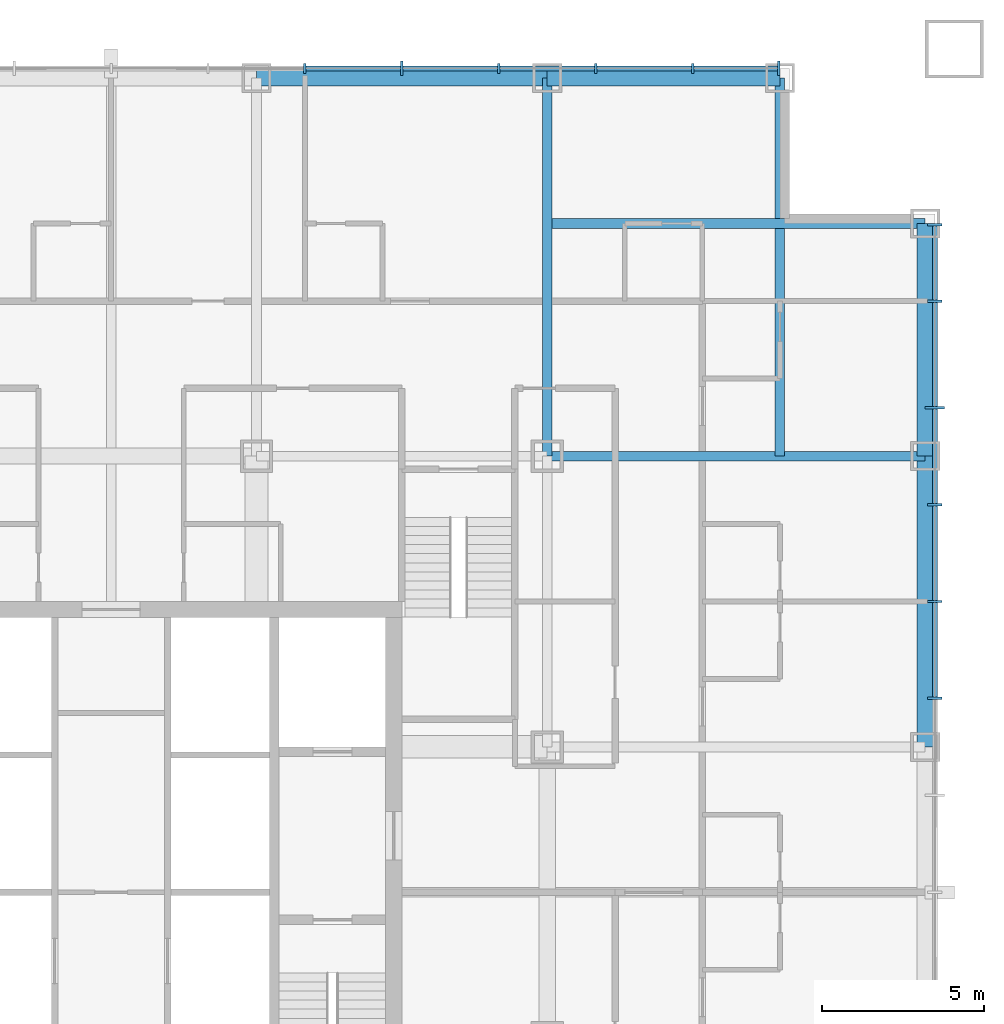
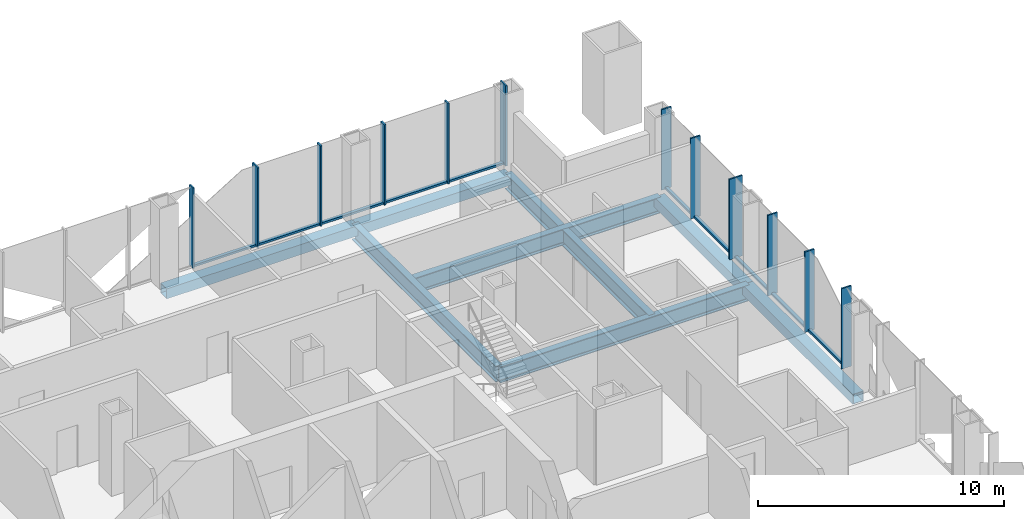
# One storey, part 5 of 13: 22 members, 8 beams, 2 elements without a shape of their own.
"""IFC4 building model written with IfcOpenShell, lengths in metres."""

from ifc_helpers import new_model, si_unit, direction, frame, origin, origin_2d, place, context, subcontext, project, spatial, rectangle, hollow_rectangle, i_section, extrude, material, layer, layer_set, material_profile, profile_set, type_object, element, aggregate, save


model = new_model("IFC4")

# Units and contexts
model_context = context("Model", 3, precision=1e-05, world=origin(), true_north=direction((0.0, 1.0)))
body_context = subcontext(model_context, "Body", "Model", "MODEL_VIEW")
ifc_project = project(units=[si_unit("LENGTHUNIT", "METRE"), si_unit("AREAUNIT", "SQUARE_METRE"), si_unit("VOLUMEUNIT", "CUBIC_METRE"), si_unit("PLANEANGLEUNIT", "RADIAN"), si_unit("MASSUNIT", "GRAM", prefix="KILO")], contexts=[model_context])

# Site, building, storey
site_placement = place(None, origin())
site = spatial("IfcSite", under=ifc_project, at=site_placement, CompositionType="ELEMENT")
building_placement = place(site_placement, origin())
building = spatial("IfcBuilding", under=site, at=building_placement, Name="Malebo Sky Hospital", CompositionType="ELEMENT")
storey_placement = place(building_placement, frame((0.0, 0.0, 47.0)))
storey = spatial("IfcBuildingStorey", under=building, at=storey_placement, Name="L10", CompositionType="ELEMENT", Elevation=47.0)

# Curtain wall, members
ifc_material_1 = material(Name="Anodised aluminium, natural silver", Category="aluminium")
ifc_layer_1 = layer(ifc_material_1, 0.25)
ifc_layer_set_1 = layer_set([ifc_layer_1], Name="WARD CURTAIN WALL NORTH AND SOUTH")
curtain_wall_type_1 = type_object("IfcCurtainWallType", Name="WARD CURTAIN WALL NORTH AND SOUTH", PredefinedType="NOTDEFINED", material=ifc_layer_set_1)
curtain_wall_1_placement = place(storey_placement, origin())
curtain_wall_1 = element("IfcCurtainWall", 1, at=curtain_wall_1_placement, inside=storey, type_object=curtain_wall_type_1, Name="NS curtain wall N", PredefinedType="NOTDEFINED")
ifc_material_profile_1 = material_profile(ifc_material_1, rectangle(XDim=0.14990234375, YDim=0.10009765625, at=origin_2d()), Name="ALUMINIUM TRANSOM 150x100")
ifc_profile_set_1 = profile_set([ifc_material_profile_1], Name="Anodised aluminium, natural silver")
member_type_1 = type_object("IfcMemberType", Name="ALUMINIUM TRANSOM 150x100", PredefinedType="USERDEFINED", material=ifc_profile_set_1)
member_1_placement = place(storey_placement, frame((66.03759765625, 87.5, 0.050048828125), z_axis=(1.0, 0.0, 0.0), x_axis=(0.0, 1.0, 0.0)))
member_1 = element("IfcMember", 2, at=member_1_placement, type_object=member_type_1, Name="Transom 10", ObjectType="TRANSOM", PredefinedType="USERDEFINED", context=body_context, shape_type="SweptSolid", body=[
    extrude(rectangle(XDim=0.14990234375, YDim=0.10009765625, at=origin_2d()), origin(), (0.0, 0.0, 1.0), 2.9248046875),
])
member_2_placement = place(storey_placement, frame((69.03759765625, 87.5, 0.050048828125), z_axis=(1.0, 0.0, 0.0), x_axis=(0.0, 1.0, 0.0)))
member_2 = element("IfcMember", 3, at=member_2_placement, type_object=member_type_1, Name="Transom 11", ObjectType="TRANSOM", PredefinedType="USERDEFINED", context=body_context, shape_type="SweptSolid", body=[
    extrude(rectangle(XDim=0.14990234375, YDim=0.10009765625, at=origin_2d()), origin(), (0.0, 0.0, 1.0), 2.9248046875),
])
member_3_placement = place(storey_placement, frame((72.03759765625, 87.5, 0.050048828125), z_axis=(1.0, 0.0, 0.0), x_axis=(0.0, 1.0, 0.0)))
member_3 = element("IfcMember", 4, at=member_3_placement, type_object=member_type_1, Name="Transom 12", ObjectType="TRANSOM", PredefinedType="USERDEFINED", context=body_context, shape_type="SweptSolid", body=[
    extrude(rectangle(XDim=0.14990234375, YDim=0.10009765625, at=origin_2d()), origin(), (0.0, 0.0, 1.0), 2.9248046875),
])
member_4_placement = place(storey_placement, frame((75.03759765625, 87.5, 0.050048828125), z_axis=(1.0, 0.0, 0.0), x_axis=(0.0, 1.0, 0.0)))
member_4 = element("IfcMember", 5, at=member_4_placement, type_object=member_type_1, Name="Transom 13", ObjectType="TRANSOM", PredefinedType="USERDEFINED", context=body_context, shape_type="SweptSolid", body=[
    extrude(rectangle(XDim=0.14990234375, YDim=0.10009765625, at=origin_2d()), origin(), (0.0, 0.0, 1.0), 2.9248046875),
])
member_5_placement = place(storey_placement, frame((78.03759765625, 87.5, 0.050048828125), z_axis=(1.0, 0.0, 0.0), x_axis=(0.0, 1.0, 0.0)))
member_5 = element("IfcMember", 6, at=member_5_placement, type_object=member_type_1, Name="Transom 14", ObjectType="TRANSOM", PredefinedType="USERDEFINED", context=body_context, shape_type="SweptSolid", body=[
    extrude(rectangle(XDim=0.14990234375, YDim=0.10009765625, at=origin_2d()), origin(), (0.0, 0.0, 1.0), 2.58740234375),
])

ifc_layer_2 = layer(ifc_material_1, 0.25)
ifc_layer_set_2 = layer_set([ifc_layer_2], Name="WARD CURTAIN WALL EAST AND WEST")
curtain_wall_type_2 = type_object("IfcCurtainWallType", Name="WARD CURTAIN WALL EAST AND WEST", PredefinedType="NOTDEFINED", material=ifc_layer_set_2)
curtain_wall_2_placement = place(storey_placement, origin())
curtain_wall_2 = element("IfcCurtainWall", 7, at=curtain_wall_2_placement, inside=storey, type_object=curtain_wall_type_2, Name="EW curtain wall E", PredefinedType="NOTDEFINED")
member_6_placement = place(storey_placement, frame((85.5, 82.625, 0.050048828125), z_axis=(0.0, -1.0, 0.0), x_axis=(1.0, 0.0, 0.0)))
member_6 = element("IfcMember", 8, at=member_6_placement, type_object=member_type_1, Name="Transom 1", ObjectType="TRANSOM", PredefinedType="USERDEFINED", context=body_context, shape_type="SweptSolid", body=[
    extrude(rectangle(XDim=0.14990234375, YDim=0.10009765625, at=origin_2d()), origin(), (0.0, 0.0, 1.0), 2.28759765625),
])
member_7_placement = place(storey_placement, frame((85.5, 80.262451171875, 0.050048828125), z_axis=(0.0, -1.0, 0.0), x_axis=(1.0, 0.0, 0.0)))
member_7 = element("IfcMember", 9, at=member_7_placement, type_object=member_type_1, Name="Transom 2", ObjectType="TRANSOM", PredefinedType="USERDEFINED", context=body_context, shape_type="SweptSolid", body=[
    extrude(rectangle(XDim=0.14990234375, YDim=0.10009765625, at=origin_2d()), origin(), (0.0, 0.0, 1.0), 3.224853515625),
])
member_8_placement = place(storey_placement, frame((85.5, 76.96240234375, 0.050048828125), z_axis=(0.0, -1.0, 0.0), x_axis=(1.0, 0.0, 0.0)))
member_8 = element("IfcMember", 10, at=member_8_placement, type_object=member_type_1, Name="Transom 3", ObjectType="TRANSOM", PredefinedType="USERDEFINED", context=body_context, shape_type="SweptSolid", body=[
    extrude(rectangle(XDim=0.14990234375, YDim=0.10009765625, at=origin_2d()), origin(), (0.0, 0.0, 1.0), 2.9248046875),
])
member_9_placement = place(storey_placement, frame((85.5, 73.96240234375, 0.050048828125), z_axis=(0.0, -1.0, 0.0), x_axis=(1.0, 0.0, 0.0)))
member_9 = element("IfcMember", 11, at=member_9_placement, type_object=member_type_1, Name="Transom 4", ObjectType="TRANSOM", PredefinedType="USERDEFINED", context=body_context, shape_type="SweptSolid", body=[
    extrude(rectangle(XDim=0.14990234375, YDim=0.10009765625, at=origin_2d()), origin(), (0.0, 0.0, 1.0), 2.9248046875),
])
member_10_placement = place(storey_placement, frame((85.5, 70.96240234375, 0.050048828125), z_axis=(0.0, -1.0, 0.0), x_axis=(1.0, 0.0, 0.0)))
member_10 = element("IfcMember", 12, at=member_10_placement, type_object=member_type_1, Name="Transom 5", ObjectType="TRANSOM", PredefinedType="USERDEFINED", context=body_context, shape_type="SweptSolid", body=[
    extrude(rectangle(XDim=0.14990234375, YDim=0.10009765625, at=origin_2d()), origin(), (0.0, 0.0, 1.0), 2.9248046875),
])

# Member
ifc_material_profile_2 = material_profile(ifc_material_1, rectangle(XDim=0.074951171875, YDim=0.300048828125, at=origin_2d()), Name="CW1 ALUMINIUM FIN MULLION 75x300")
ifc_profile_set_2 = profile_set([ifc_material_profile_2], Name="Anodised aluminium, natural silver")
member_type_2 = type_object("IfcMemberType", Name="CW1 ALUMINIUM FIN MULLION 75x300", PredefinedType="MULLION", material=ifc_profile_set_2)
member_11_placement = place(storey_placement, frame((66.0, 87.5, 0.0), z_axis=(0.0, 0.0, 1.0), x_axis=(1.0, 0.0, 0.0)))
member_11 = element("IfcMember", 13, at=member_11_placement, type_object=member_type_2, Name="Fin mullion 10", PredefinedType="MULLION", context=body_context, shape_type="SweptSolid", body=[
    extrude(rectangle(XDim=0.074951171875, YDim=0.300048828125, at=origin_2d()), origin(), (0.0, 0.0, 1.0), 4.0),
])

member_12_placement = place(storey_placement, frame((72.0, 87.5, 0.0), z_axis=(0.0, 0.0, 1.0), x_axis=(1.0, 0.0, 0.0)))
member_12 = element("IfcMember", 14, at=member_12_placement, type_object=member_type_2, Name="Fin mullion 12", PredefinedType="MULLION", context=body_context, shape_type="SweptSolid", body=[
    extrude(rectangle(XDim=0.074951171875, YDim=0.300048828125, at=origin_2d()), origin(), (0.0, 0.0, 1.0), 4.0),
])

member_13_placement = place(storey_placement, frame((75.0, 87.5, 0.0), z_axis=(0.0, 0.0, 1.0), x_axis=(1.0, 0.0, 0.0)))
member_13 = element("IfcMember", 15, at=member_13_placement, type_object=member_type_2, Name="Fin mullion 13", PredefinedType="MULLION", context=body_context, shape_type="SweptSolid", body=[
    extrude(rectangle(XDim=0.074951171875, YDim=0.300048828125, at=origin_2d()), origin(), (0.0, 0.0, 1.0), 4.0),
])

member_14_placement = place(storey_placement, frame((78.0, 87.5, 0.0), z_axis=(0.0, 0.0, 1.0), x_axis=(1.0, 0.0, 0.0)))
member_14 = element("IfcMember", 16, at=member_14_placement, type_object=member_type_2, Name="Fin mullion 14", PredefinedType="MULLION", context=body_context, shape_type="SweptSolid", body=[
    extrude(rectangle(XDim=0.074951171875, YDim=0.300048828125, at=origin_2d()), origin(), (0.0, 0.0, 1.0), 4.0),
])

ifc_material_profile_3 = material_profile(ifc_material_1, rectangle(XDim=0.074951171875, YDim=0.449951171875, at=origin_2d()), Name="CW1 ALUMINIUM FIN MULLION 75x450")
ifc_profile_set_3 = profile_set([ifc_material_profile_3], Name="Anodised aluminium, natural silver")
member_type_3 = type_object("IfcMemberType", Name="CW1 ALUMINIUM FIN MULLION 75x450", PredefinedType="MULLION", material=ifc_profile_set_3)
member_15_placement = place(storey_placement, frame((69.0, 87.5, 0.0), z_axis=(0.0, 0.0, 1.0), x_axis=(1.0, 0.0, 0.0)))
member_15 = element("IfcMember", 17, at=member_15_placement, type_object=member_type_3, Name="Fin mullion 11", PredefinedType="MULLION", context=body_context, shape_type="SweptSolid", body=[
    extrude(rectangle(XDim=0.074951171875, YDim=0.449951171875, at=origin_2d()), origin(), (0.0, 0.0, 1.0), 4.0),
])

member_16_placement = place(storey_placement, frame((80.66259765625, 87.5, 0.0), z_axis=(0.0, 0.0, 1.0), x_axis=(1.0, 0.0, 0.0)))
member_16 = element("IfcMember", 18, at=member_16_placement, type_object=member_type_3, Name="Fin mullion 15", PredefinedType="MULLION", context=body_context, shape_type="SweptSolid", body=[
    extrude(rectangle(XDim=0.074951171875, YDim=0.449951171875, at=origin_2d()), origin(), (0.0, 0.0, 1.0), 4.0),
])

aggregate(curtain_wall_1, [member_11, member_15, member_12, member_13, member_14, member_16, member_1, member_2, member_3, member_4, member_5])

ifc_material_profile_4 = material_profile(ifc_material_1, rectangle(XDim=0.074951171875, YDim=0.449951171875, at=origin_2d()), Name="CW2 ALUMINIUM FIN MULLION 75x450")
ifc_profile_set_4 = profile_set([ifc_material_profile_4], Name="Anodised aluminium, natural silver")
member_type_4 = type_object("IfcMemberType", Name="CW2 ALUMINIUM FIN MULLION 75x450", PredefinedType="MULLION", material=ifc_profile_set_4)
member_17_placement = place(storey_placement, frame((85.5, 82.66259765625, 0.0), z_axis=(0.0, 0.0, 1.0), x_axis=(0.0, -1.0, 0.0)))
member_17 = element("IfcMember", 19, at=member_17_placement, type_object=member_type_4, Name="Fin mullion 1", PredefinedType="MULLION", context=body_context, shape_type="SweptSolid", body=[
    extrude(rectangle(XDim=0.074951171875, YDim=0.449951171875, at=origin_2d()), origin(), (0.0, 0.0, 1.0), 4.0),
])

member_18_placement = place(storey_placement, frame((85.5, 80.300048828125, 0.0), z_axis=(0.0, 0.0, 1.0), x_axis=(0.0, -1.0, 0.0)))
member_18 = element("IfcMember", 20, at=member_18_placement, type_object=member_type_4, Name="Fin mullion 2", PredefinedType="MULLION", context=body_context, shape_type="SweptSolid", body=[
    extrude(rectangle(XDim=0.074951171875, YDim=0.449951171875, at=origin_2d()), origin(), (0.0, 0.0, 1.0), 4.0),
])

member_19_placement = place(storey_placement, frame((85.5, 74.0, 0.0), z_axis=(0.0, 0.0, 1.0), x_axis=(0.0, -1.0, 0.0)))
member_19 = element("IfcMember", 21, at=member_19_placement, type_object=member_type_4, Name="Fin mullion 4", PredefinedType="MULLION", context=body_context, shape_type="SweptSolid", body=[
    extrude(rectangle(XDim=0.074951171875, YDim=0.449951171875, at=origin_2d()), origin(), (0.0, 0.0, 1.0), 4.0),
])

member_20_placement = place(storey_placement, frame((85.5, 71.0, 0.0), z_axis=(0.0, 0.0, 1.0), x_axis=(0.0, -1.0, 0.0)))
member_20 = element("IfcMember", 22, at=member_20_placement, type_object=member_type_4, Name="Fin mullion 5", PredefinedType="MULLION", context=body_context, shape_type="SweptSolid", body=[
    extrude(rectangle(XDim=0.074951171875, YDim=0.449951171875, at=origin_2d()), origin(), (0.0, 0.0, 1.0), 4.0),
])

member_21_placement = place(storey_placement, frame((85.5, 68.0, 0.0), z_axis=(0.0, 0.0, 1.0), x_axis=(0.0, -1.0, 0.0)))
member_21 = element("IfcMember", 23, at=member_21_placement, type_object=member_type_4, Name="Fin mullion 6", PredefinedType="MULLION", context=body_context, shape_type="SweptSolid", body=[
    extrude(rectangle(XDim=0.074951171875, YDim=0.449951171875, at=origin_2d()), origin(), (0.0, 0.0, 1.0), 4.0),
])

ifc_material_profile_5 = material_profile(ifc_material_1, rectangle(XDim=0.074951171875, YDim=0.60009765625, at=origin_2d()), Name="CW2 ALUMINIUM FIN MULLION 75x600")
ifc_profile_set_5 = profile_set([ifc_material_profile_5], Name="Anodised aluminium, natural silver")
member_type_5 = type_object("IfcMemberType", Name="CW2 ALUMINIUM FIN MULLION 75x600", PredefinedType="MULLION", material=ifc_profile_set_5)
member_22_placement = place(storey_placement, frame((85.5, 77.0, 0.0), z_axis=(0.0, 0.0, 1.0), x_axis=(0.0, -1.0, 0.0)))
member_22 = element("IfcMember", 24, at=member_22_placement, type_object=member_type_5, Name="Fin mullion 3", PredefinedType="MULLION", context=body_context, shape_type="SweptSolid", body=[
    extrude(rectangle(XDim=0.074951171875, YDim=0.60009765625, at=origin_2d()), origin(), (0.0, 0.0, 1.0), 4.0),
])

aggregate(curtain_wall_2, [member_17, member_18, member_22, member_19, member_20, member_21, member_6, member_7, member_8, member_9, member_10])

# Beams
ifc_material_2 = material(Name="Steel S460", Category="steel")
ifc_material_profile_6 = material_profile(ifc_material_2, hollow_rectangle(XDim=0.5, YDim=0.5, WallThickness=0.030029296875, at=origin_2d()), Name="BOX 500x500x30")
ifc_profile_set_6 = profile_set([ifc_material_profile_6], Name="Steel S460")
beam_type_1 = type_object("IfcBeamType", Name="EDGE BEAM BOX 500x500x30", PredefinedType="BEAM", material=ifc_profile_set_6)
beam_1_placement = place(storey_placement, frame((85.199951171875, 66.5, -0.5), z_axis=(0.0, 1.0, 0.0), x_axis=(-1.0, 0.0, 0.0)))
element("IfcBeam", 25, at=beam_1_placement, inside=storey, type_object=beam_type_1, Name="Beam 032 L10", PredefinedType="BEAM", context=body_context, shape_type="SweptSolid", body=[
    extrude(hollow_rectangle(XDim=0.5, YDim=0.5, WallThickness=0.030029296875, at=origin_2d()), origin(), (0.0, 0.0, 1.0), 9.0),
])
beam_2_placement = place(storey_placement, frame((85.199951171875, 75.5, -0.5), z_axis=(0.0, 1.0, 0.0), x_axis=(-1.0, 0.0, 0.0)))
element("IfcBeam", 26, at=beam_2_placement, inside=storey, type_object=beam_type_1, Name="Beam 033 L10", PredefinedType="BEAM", context=body_context, shape_type="SweptSolid", body=[
    extrude(hollow_rectangle(XDim=0.5, YDim=0.5, WallThickness=0.030029296875, at=origin_2d()), origin(), (0.0, 0.0, 1.0), 7.199951171875),
])
beam_3_placement = place(storey_placement, frame((64.5, 87.199951171875, -0.5), z_axis=(1.0, 0.0, 0.0), x_axis=(0.0, 1.0, 0.0)))
element("IfcBeam", 27, at=beam_3_placement, inside=storey, type_object=beam_type_1, Name="Beam 066 L10", PredefinedType="BEAM", context=body_context, shape_type="SweptSolid", body=[
    extrude(hollow_rectangle(XDim=0.5, YDim=0.5, WallThickness=0.030029296875, at=origin_2d()), origin(), (0.0, 0.0, 1.0), 9.0),
])
beam_4_placement = place(storey_placement, frame((73.5, 87.199951171875, -0.5), z_axis=(1.0, 0.0, 0.0), x_axis=(0.0, 1.0, 0.0)))
element("IfcBeam", 28, at=beam_4_placement, inside=storey, type_object=beam_type_1, Name="Beam 067 L10", PredefinedType="BEAM", context=body_context, shape_type="SweptSolid", body=[
    extrude(hollow_rectangle(XDim=0.5, YDim=0.5, WallThickness=0.030029296875, at=origin_2d()), origin(), (0.0, 0.0, 1.0), 7.199951171875),
])
ifc_material_3 = material(Name="Steel S355", Category="steel")
ifc_material_profile_7 = material_profile(ifc_material_3, i_section(OverallWidth=0.300048828125, OverallDepth=0.800048828125, WebThickness=0.017578125, FlangeThickness=0.032958984375, FilletRadius=0.030029296875, at=origin_2d()), Name="HEB 800")
ifc_profile_set_7 = profile_set([ifc_material_profile_7], Name="Steel S355")
beam_type_2 = type_object("IfcBeamType", Name="FLOOR BEAM HEB 800", PredefinedType="BEAM", material=ifc_profile_set_7)
for number, where, z_axis, x_axis, name in (
    (29, (80.699951171875, 75.5, -0.64990234375), (0.0, 1.0, 0.0), (-1.0, 0.0, 0.0), "Beam 028 L10"),
    (30, (73.5, 82.699951171875, -0.64990234375), (1.0, 0.0, 0.0), (0.0, 1.0, 0.0), "Beam 062 L10"),
):
    element("IfcBeam", number, at=place(storey_placement, frame(where, z_axis=z_axis, x_axis=x_axis)), inside=storey, type_object=beam_type_2, Name=name, PredefinedType="BEAM", context=body_context, shape_type="SweptSolid", body=[
        extrude(i_section(OverallWidth=0.300048828125, OverallDepth=0.800048828125, WebThickness=0.017578125, FlangeThickness=0.032958984375, FilletRadius=0.030029296875, at=origin_2d()), origin(), (0.0, 0.0, 1.0), 11.699951171875),
    ])
ifc_material_profile_8 = material_profile(ifc_material_3, i_section(OverallWidth=0.300048828125, OverallDepth=0.800048828125, WebThickness=0.017578125, FlangeThickness=0.032958984375, FilletRadius=0.030029296875, at=origin_2d()), Name="HEB 800")
ifc_profile_set_8 = profile_set([ifc_material_profile_8], Name="Steel S355")
beam_type_3 = type_object("IfcBeamType", Name="FLOOR GIRDER HEB 800", PredefinedType="BEAM", material=ifc_profile_set_8)
for number, where, z_axis, x_axis, name in (
    (31, (73.5, 75.5, -0.64990234375), (0.0, 1.0, 0.0), (-1.0, 0.0, 0.0), "Beam 026 L10"),
    (32, (73.5, 75.5, -0.64990234375), (1.0, 0.0, 0.0), (0.0, 1.0, 0.0), "Beam 060 L10"),
):
    element("IfcBeam", number, at=place(storey_placement, frame(where, z_axis=z_axis, x_axis=x_axis)), inside=storey, type_object=beam_type_3, Name=name, PredefinedType="BEAM", context=body_context, shape_type="SweptSolid", body=[
        extrude(i_section(OverallWidth=0.300048828125, OverallDepth=0.800048828125, WebThickness=0.017578125, FlangeThickness=0.032958984375, FilletRadius=0.030029296875, at=origin_2d()), origin(), (0.0, 0.0, 1.0), 11.699951171875),
    ])

save(model, "model.ifc")
